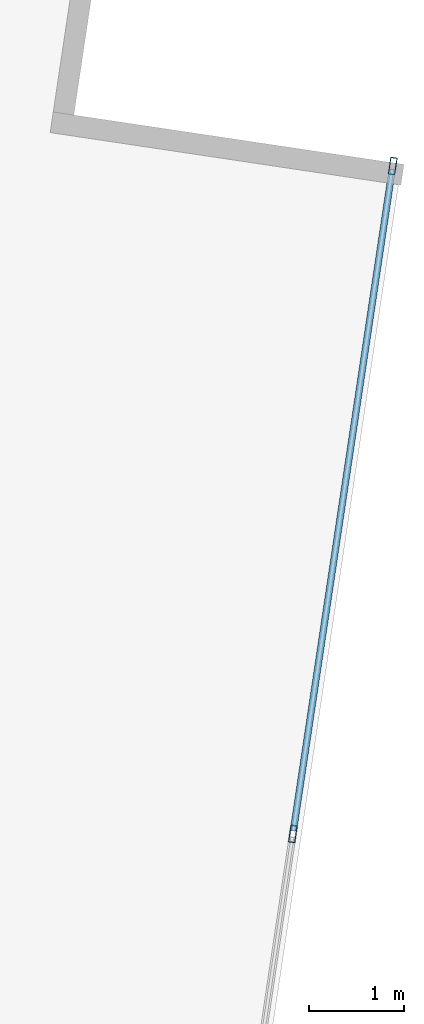
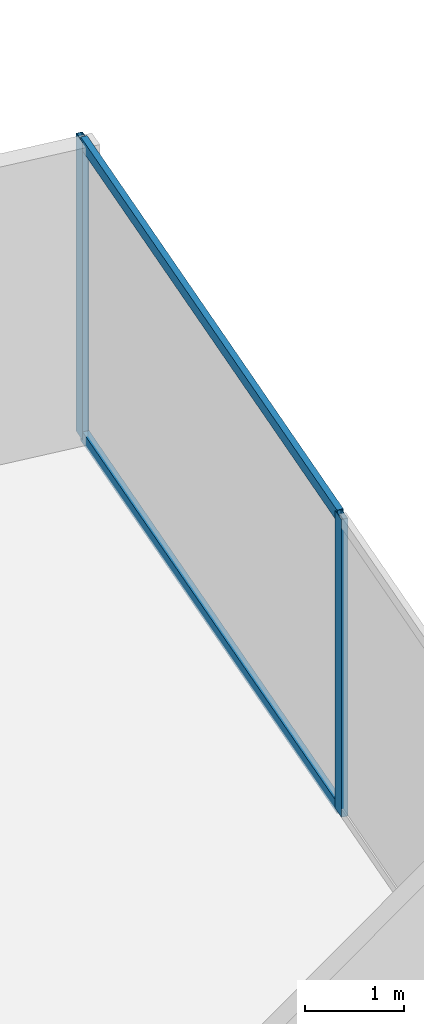
# One storey, part 21 of 29: 4 members, 1 element without a shape of its own.
"""IFC4 building model written with IfcOpenShell, lengths in metres."""

from ifc_helpers import new_model, si_unit, direction, frame, origin, origin_2d, place, context, subcontext, project, spatial, hollow_rectangle, extrude, source, transform, mapped, material, material_profile, profile_set, type_object, type_shapes, element, aggregate, save


model = new_model("IFC4")

# Units and contexts
model_context = context("Model", 3, precision=1e-05, world=origin(), true_north=direction((0.0, 1.0)))
body_context = subcontext(model_context, "Body", "Model", "MODEL_VIEW")
ifc_project = project(units=[si_unit("LENGTHUNIT", "METRE"), si_unit("AREAUNIT", "SQUARE_METRE"), si_unit("VOLUMEUNIT", "CUBIC_METRE"), si_unit("PLANEANGLEUNIT", "RADIAN"), si_unit("MASSUNIT", "GRAM", prefix="KILO")], contexts=[model_context])

# Site, building, storey
site_placement = place(None, origin())
site = spatial("IfcSite", under=ifc_project, at=site_placement, CompositionType="ELEMENT")
building_placement = place(site_placement, origin())
building = spatial("IfcBuilding", under=site, at=building_placement, Name="Krantzveldt Concourse Tower", CompositionType="ELEMENT")
storey_placement = place(building_placement, frame((0.0, 0.0, 68.449951171875)))
storey = spatial("IfcBuildingStorey", under=building, at=storey_placement, Name="L16", CompositionType="ELEMENT", Elevation=68.449951171875)

# Curtain wall, members
ifc_material = material(Name="Anodised aluminium 6063-T6", Category="aluminium")
curtain_wall_type = type_object("IfcCurtainWallType", Name="CW2", PredefinedType="USERDEFINED", material=ifc_material)
curtain_wall_placement = place(storey_placement, origin())
curtain_wall = element("IfcCurtainWall", 1, at=curtain_wall_placement, inside=storey, type_object=curtain_wall_type, Name="CW-L16-F07", ObjectType="UNITISED CURTAIN WALL", PredefinedType="USERDEFINED")
ifc_material_profile_1 = material_profile(ifc_material, hollow_rectangle(XDim=0.070068359375, YDim=0.139892578125, WallThickness=0.0048828125, at=origin_2d()), Name="Anodised aluminium 6063-T6", Category="aluminium")
ifc_profile_set_1 = profile_set([ifc_material_profile_1], Name="Anodised aluminium 6063-T6 - ALU-TRAN 140x70x5")
member_type_1 = type_object("IfcMemberType", Name="CW-TRN-150", PredefinedType="USERDEFINED", material=ifc_profile_set_1)
shared_shape_1 = source(origin(), body_context, "Body", "SweptSolid", [
    extrude(hollow_rectangle(XDim=0.070068359375, YDim=0.139892578125, WallThickness=0.0048828125, at=origin_2d()), origin(), (0.0, 0.0, 1.0), 7.061767578125),
])
type_shapes(member_type_1, [shared_shape_1])
member_1_placement = place(storey_placement, frame((62.76025390625, 37.228515625, 0.03515625), z_axis=(0.147797751082, 0.989017605897, 0.0), x_axis=(-0.989017605897, 0.147797751082, 0.0)))
member_1 = element("IfcMember", 2, at=member_1_placement, type_object=member_type_1, Name="CW-Z12 transom 6.1", ObjectType="TRANSOM", PredefinedType="USERDEFINED", context=body_context, shape_type="MappedRepresentation", body=[
    mapped(shared_shape_1, transform((0.0, 0.0, 0.0), x_axis=(1.0, 0.0, 0.0), y_axis=(0.0, 1.0, 0.0), z_axis=(0.0, 0.0, 1.0), scale=1.0)),
])
member_2_placement = place(storey_placement, frame((62.76025390625, 37.228515625, 3.635009765625), z_axis=(0.147797751082, 0.989017605897, 0.0), x_axis=(-0.989017605897, 0.147797751082, 0.0)))
member_2 = element("IfcMember", 3, at=member_2_placement, type_object=member_type_1, Name="CW-Z12 transom 6.2", ObjectType="TRANSOM", PredefinedType="USERDEFINED", context=body_context, shape_type="MappedRepresentation", body=[
    mapped(shared_shape_1, transform((0.0, 0.0, 0.0), x_axis=(1.0, 0.0, 0.0), y_axis=(0.0, 1.0, 0.0), z_axis=(0.0, 0.0, 1.0), scale=1.0)),
])
ifc_material_profile_2 = material_profile(ifc_material, hollow_rectangle(XDim=0.070068359375, YDim=0.179931640625, WallThickness=0.0048828125, at=origin_2d()), Name="Anodised aluminium 6063-T6", Category="aluminium")
ifc_profile_set_2 = profile_set([ifc_material_profile_2], Name="Anodised aluminium 6063-T6 - ALU-MULL 180x70x5")
member_type_2 = type_object("IfcMemberType", Name="CW-MUL-180", PredefinedType="MULLION", material=ifc_profile_set_2)
shared_shape_2 = source(origin(), body_context, "Body", "SweptSolid", [
    extrude(hollow_rectangle(XDim=0.070068359375, YDim=0.179931640625, WallThickness=0.0048828125, at=origin_2d()), origin(), (0.0, 0.0, 1.0), 3.670166015625),
])
type_shapes(member_type_2, [shared_shape_2])
member_3_placement = place(storey_placement, frame((62.7548828125, 37.19384765625, 0.0), z_axis=(0.0, 0.0, 1.0), x_axis=(-0.989015849271, 0.147809505412, 0.0)))
member_3 = element("IfcMember", 4, at=member_3_placement, type_object=member_type_2, Name="CW-Z12 mullion 6", PredefinedType="MULLION", context=body_context, shape_type="MappedRepresentation", body=[
    mapped(shared_shape_2, transform((0.0, 0.0, 0.0), x_axis=(1.0, 0.0, 0.0), y_axis=(0.0, 1.0, 0.0), z_axis=(0.0, 0.0, 1.0), scale=1.0)),
])
member_4_placement = place(storey_placement, frame((63.80908203125, 44.247314453125, 0.0), z_axis=(0.0, 0.0, 1.0), x_axis=(-0.989015849271, 0.147809505412, 0.0)))
member_4 = element("IfcMember", 5, at=member_4_placement, type_object=member_type_2, Name="CW-Z12 mullion 7", PredefinedType="MULLION", context=body_context, shape_type="MappedRepresentation", body=[
    mapped(shared_shape_2, transform((0.0, 0.0, 0.0), x_axis=(1.0, 0.0, 0.0), y_axis=(0.0, 1.0, 0.0), z_axis=(0.0, 0.0, 1.0), scale=1.0)),
])
aggregate(curtain_wall, [member_3, member_4, member_1, member_2])

save(model, "model.ifc")
